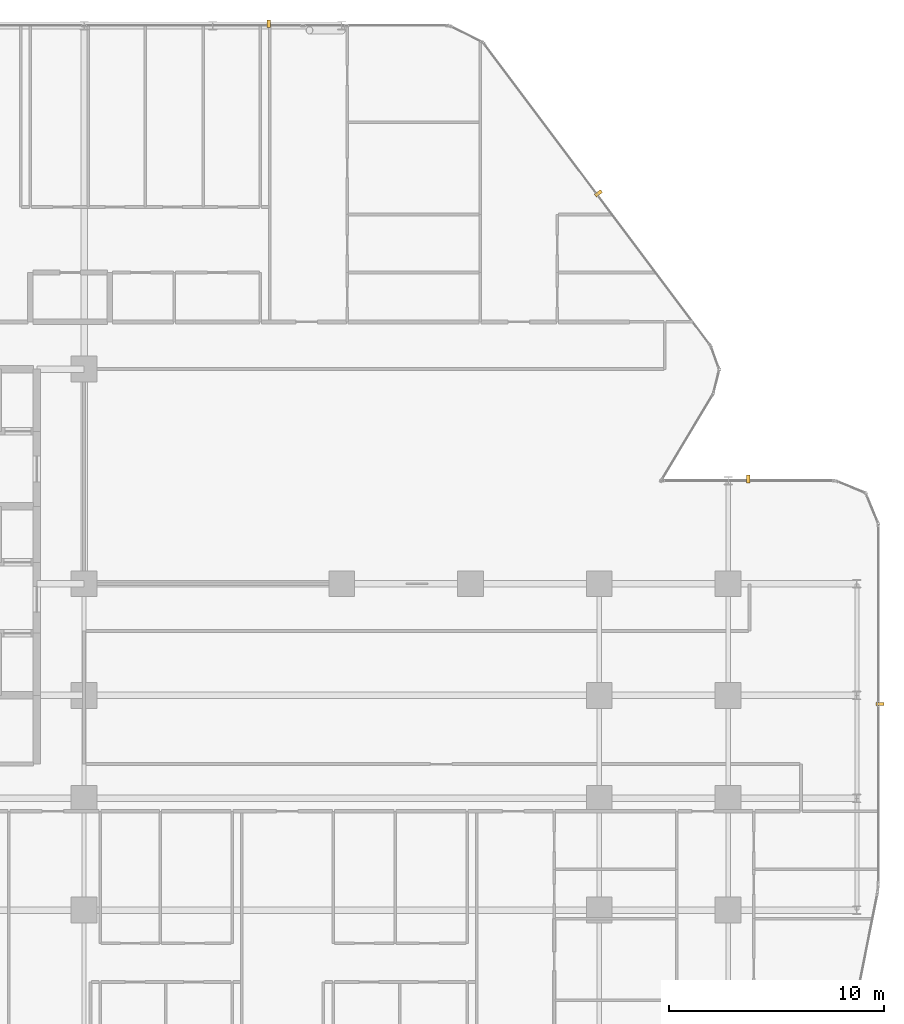
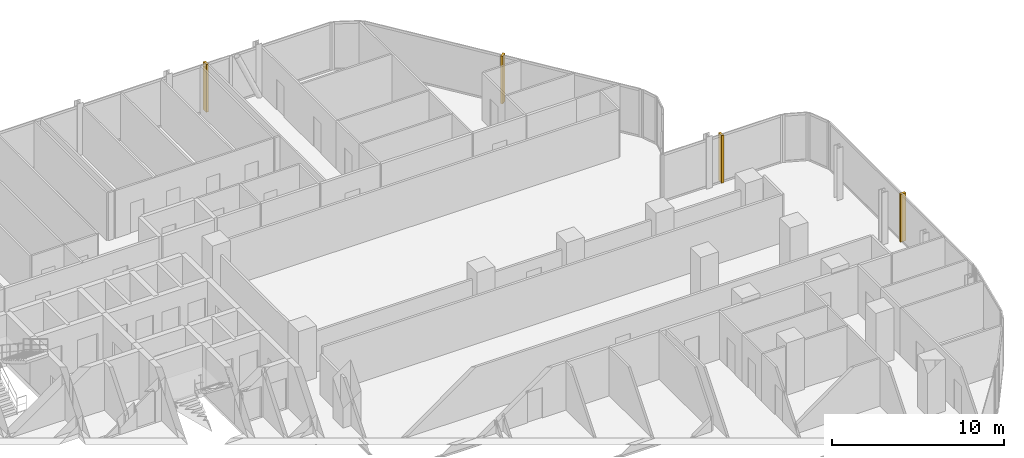
# One storey, part 34 of 34: 4 coverings.
"""IFC4 building model written with IfcOpenShell, lengths in metres."""

from ifc_helpers import new_model, si_unit, direction, frame, origin, origin_2d, place, context, subcontext, project, spatial, rectangle, extrude, material, type_object, element, save


model = new_model("IFC4")

# Units and contexts
model_context = context("Model", 3, precision=1e-05, world=origin(), true_north=direction((0.0, 1.0)))
body_context = subcontext(model_context, "Body", "Model", "MODEL_VIEW")
ifc_project = project(units=[si_unit("LENGTHUNIT", "METRE"), si_unit("AREAUNIT", "SQUARE_METRE"), si_unit("VOLUMEUNIT", "CUBIC_METRE"), si_unit("PLANEANGLEUNIT", "RADIAN"), si_unit("MASSUNIT", "GRAM", prefix="KILO")], contexts=[model_context])

# Site, building, storey
site_placement = place(None, origin())
site = spatial("IfcSite", under=ifc_project, at=site_placement, CompositionType="ELEMENT")
building_placement = place(site_placement, origin())
building = spatial("IfcBuilding", under=site, at=building_placement, Name="Keshet Zoharim Tower", CompositionType="ELEMENT")
storey_placement = place(building_placement, frame((0.0, 0.0, 70.10009765625)))
storey = spatial("IfcBuildingStorey", under=building, at=storey_placement, Name="L16", CompositionType="ELEMENT", Elevation=70.10009765625)

# Coverings
ifc_material = material(Name="Concrete C50/60 precast", Category="concrete")
covering_type = type_object("IfcCoveringType", Name="FIN-SOL-360", PredefinedType="CLADDING", material=ifc_material)
for number, where, z_axis, x_axis, name in (
    (1, (41.593994140625, 53.97998046875, 0.0), (0.0, 0.0, 1.0), (1.0, 0.0, 0.0), "L16 Vertical Precast Solar Fin 06"),
    (2, (56.9609375, 46.0859375, 0.0), (0.0, 0.0, 1.0), (0.600000000002, -0.799999999998, 0.0), "L16 Vertical Precast Solar Fin 07"),
    (3, (63.93994140625, 32.780029296875, 0.0), (0.0, 0.0, 1.0), (1.0, 0.0, 0.0), "L16 Vertical Precast Solar Fin 08"),
    (4, (70.080078125, 22.299072265625, 0.0), (0.0, 0.0, 1.0), (0.0, -1.0, 0.0), "L16 Vertical Precast Solar Fin 09"),
):
    element("IfcCovering", number, at=place(storey_placement, frame(where, z_axis=z_axis, x_axis=x_axis)), inside=storey, type_object=covering_type, Name=name, PredefinedType="CLADDING", context=body_context, shape_type="SweptSolid", body=[
        extrude(rectangle(XDim=0.159912109375, YDim=0.360107421875, at=origin_2d()), origin(), (0.0, 0.0, 1.0), 3.385009765625),
    ])

save(model, "model.ifc")
